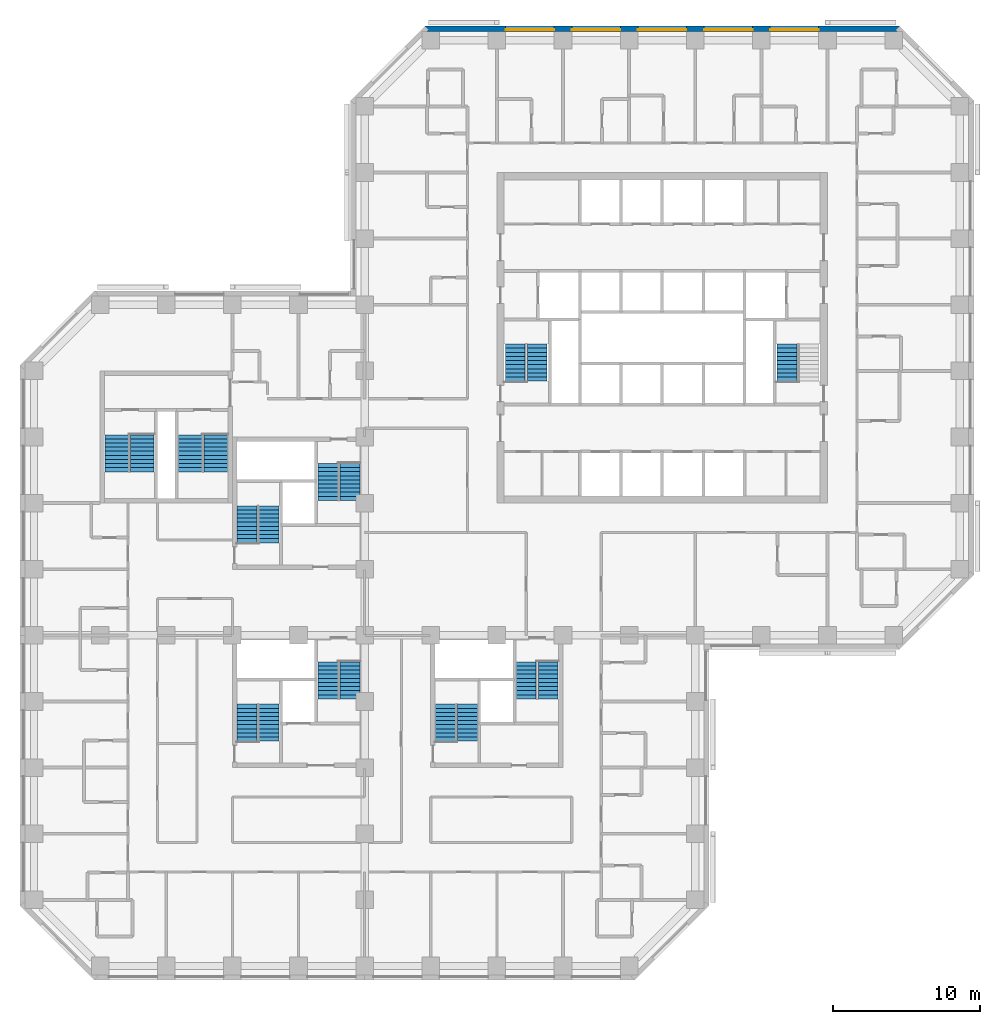
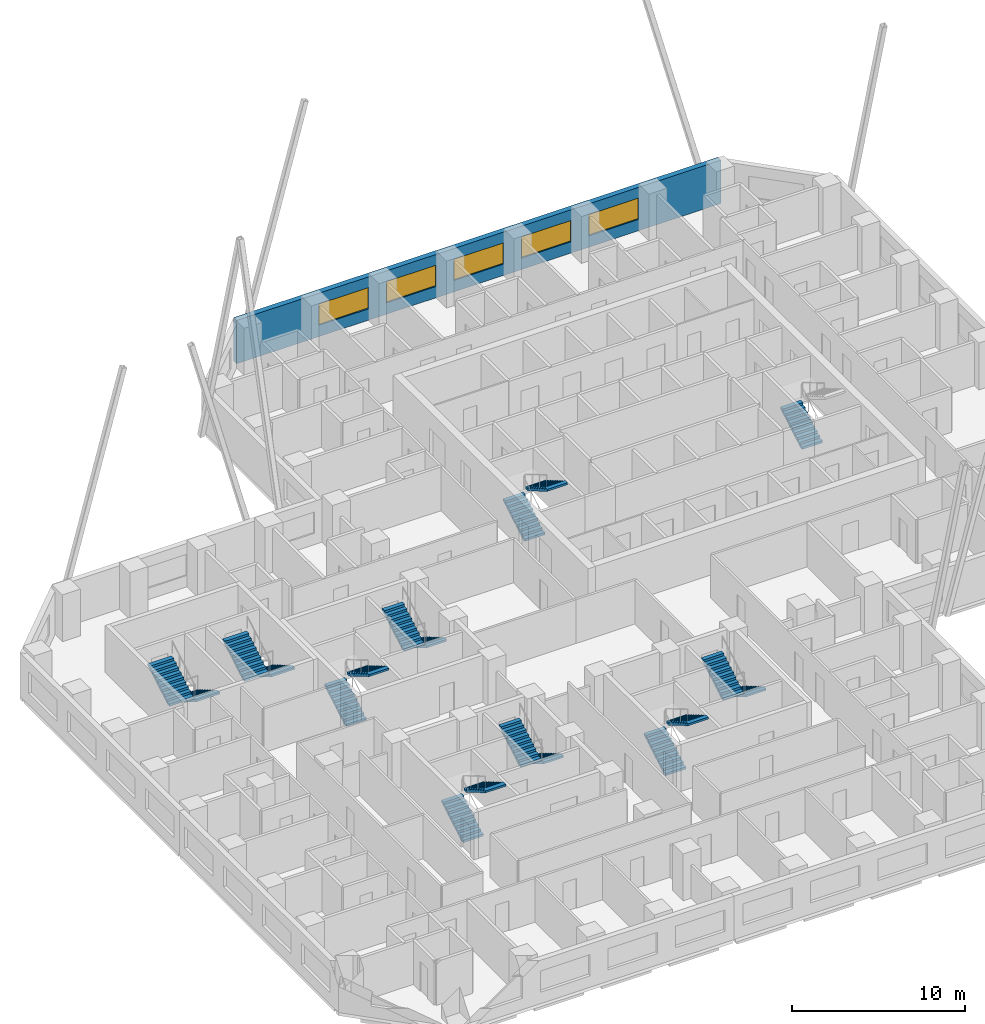
# One storey, part 12 of 14: 19 stair flights, 5 windows, 1 wall, 5 openings, 10 elements without a shape of their own.
"""IFC4 building model written with IfcOpenShell, lengths in metres."""

from ifc_helpers import new_model, si_unit, direction, frame, frame_2d, origin, place, context, subcontext, project, spatial, polyline, rectangle, outline, extrude, material, layer, layer_set, constituent, constituent_set, type_object, element, fill, aggregate, save


model = new_model("IFC4")

# Units and contexts
model_context = context("Model", 3, precision=1e-05, world=origin(), true_north=direction((0.0, 1.0)))
body_context = subcontext(model_context, "Body", "Model", "MODEL_VIEW")
ifc_project = project(units=[si_unit("LENGTHUNIT", "METRE"), si_unit("AREAUNIT", "SQUARE_METRE"), si_unit("VOLUMEUNIT", "CUBIC_METRE"), si_unit("PLANEANGLEUNIT", "RADIAN"), si_unit("MASSUNIT", "GRAM", prefix="KILO")], contexts=[model_context])

# Site, building, storey
site_placement = place(None, origin())
site = spatial("IfcSite", under=ifc_project, at=site_placement, CompositionType="ELEMENT")
building_placement = place(site_placement, origin())
building = spatial("IfcBuilding", under=site, at=building_placement, Name="Quoin Convention Tower", CompositionType="ELEMENT")
storey_placement = place(building_placement, frame((0.0, 0.0, 66.0)))
storey = spatial("IfcBuildingStorey", under=building, at=storey_placement, Name="L17", CompositionType="ELEMENT", Elevation=66.0)

# Wall, openings, windows
ifc_material_1 = material(Name="Brick masonry", Category="masonry")
ifc_layer = layer(ifc_material_1, 0.35009765625)
ifc_layer_set = layer_set([ifc_layer], Name="Brick masonry")
wall_type = type_object("IfcWallType", Name="Brick facade wall", PredefinedType="STANDARD", material=ifc_layer_set)
wall_placement = place(storey_placement, frame((72.3935546875, 81.77490234375, 0.0), z_axis=(0.0, 0.0, 1.0), x_axis=(-1.0, 0.0, 0.0)))
wall = element("IfcWall", 1, at=wall_placement, inside=storey, type_object=wall_type, Name="fw-L17-72000_81000", PredefinedType="STANDARD", context=body_context, shape_type="SweptSolid", body=[
    extrude(rectangle(XDim=32.287109375, YDim=0.35009765625, at=frame_2d((16.1435546875, 0.0))), origin(), (0.0, 0.0, 1.0), 3.054931640625),
])
opening_1_placement = place(wall_placement, frame((5.493408203125, 0.0, 0.800048828125)))
opening_1 = element("IfcOpeningElement", 2, at=opening_1_placement, cuts=wall, Name="Opening W-01", PredefinedType="OPENING", context=body_context, shape_type="SweptSolid", body=[
    extrude(rectangle(XDim=3.300048828125, YDim=1.5, at=frame_2d((1.64990234375, 0.75))), frame((0.0, 0.18505859375, 0.0), z_axis=(0.0, -1.0, 0.0), x_axis=(1.0, 0.0, 0.0)), (0.0, 0.0, 1.0), 0.3701171875),
])
opening_2_placement = place(wall_placement, frame((9.993408203125, 0.0, 0.800048828125)))
opening_2 = element("IfcOpeningElement", 3, at=opening_2_placement, cuts=wall, Name="Opening W-01", PredefinedType="OPENING", context=body_context, shape_type="SweptSolid", body=[
    extrude(rectangle(XDim=3.300048828125, YDim=1.5, at=frame_2d((1.64990234375, 0.75))), frame((0.0, 0.18505859375, 0.0), z_axis=(0.0, -1.0, 0.0), x_axis=(1.0, 0.0, 0.0)), (0.0, 0.0, 1.0), 0.3701171875),
])
opening_3_placement = place(wall_placement, frame((14.493408203125, 0.0, 0.800048828125)))
opening_3 = element("IfcOpeningElement", 4, at=opening_3_placement, cuts=wall, Name="Opening W-01", PredefinedType="OPENING", context=body_context, shape_type="SweptSolid", body=[
    extrude(rectangle(XDim=3.300048828125, YDim=1.5, at=frame_2d((1.64990234375, 0.75))), frame((0.0, 0.18505859375, 0.0), z_axis=(0.0, -1.0, 0.0), x_axis=(1.0, 0.0, 0.0)), (0.0, 0.0, 1.0), 0.3701171875),
])
opening_4_placement = place(wall_placement, frame((18.993408203125, 0.0, 0.800048828125)))
opening_4 = element("IfcOpeningElement", 5, at=opening_4_placement, cuts=wall, Name="Opening W-01", PredefinedType="OPENING", context=body_context, shape_type="SweptSolid", body=[
    extrude(rectangle(XDim=3.300048828125, YDim=1.5, at=frame_2d((1.64990234375, 0.75))), frame((0.0, 0.18505859375, 0.0), z_axis=(0.0, -1.0, 0.0), x_axis=(1.0, 0.0, 0.0)), (0.0, 0.0, 1.0), 0.3701171875),
])
opening_5_placement = place(wall_placement, frame((23.493408203125, 0.0, 0.800048828125)))
opening_5 = element("IfcOpeningElement", 6, at=opening_5_placement, cuts=wall, Name="Opening W-01", PredefinedType="OPENING", context=body_context, shape_type="SweptSolid", body=[
    extrude(rectangle(XDim=3.300048828125, YDim=1.5, at=frame_2d((1.64990234375, 0.75))), frame((0.0, 0.18505859375, 0.0), z_axis=(0.0, -1.0, 0.0), x_axis=(1.0, 0.0, 0.0)), (0.0, 0.0, 1.0), 0.3701171875),
])
ifc_material_2 = material(Name="Aluminium", Category="aluminium")
ifc_constituent_1 = constituent(ifc_material_2, Name="Frame")
ifc_material_3 = material(Name="Insulated glass", Category="glass")
ifc_constituent_2 = constituent(ifc_material_3, Name="Glazing")
ifc_constituent_set = constituent_set(constituents=[ifc_constituent_1, ifc_constituent_2], Name="Aluminium")
window_type = type_object("IfcWindowType", Name="Hotel strip window", PartitioningType="DOUBLE_PANEL_VERTICAL", PredefinedType="WINDOW", material=ifc_constituent_set)
window_1_placement = place(opening_1_placement, origin())
window_1 = element("IfcWindow", 7, at=window_1_placement, inside=storey, type_object=window_type, Name="win-L17-65250_81775", OverallHeight=1.5, OverallWidth=3.300048828125, PartitioningType="SINGLE_PANEL", PredefinedType="WINDOW", context=body_context, shape_type="SweptSolid", body=[
    extrude(rectangle(XDim=3.300048828125, YDim=1.5, at=frame_2d((1.64990234375, 0.75))), frame((0.0, 0.0849609375, 0.0), z_axis=(0.0, -1.0, 0.0), x_axis=(1.0, 0.0, 0.0)), (0.0, 0.0, 1.0), 0.06005859375),
])
fill(opening_1, window_1)
window_2_placement = place(opening_2_placement, origin())
window_2 = element("IfcWindow", 8, at=window_2_placement, inside=storey, type_object=window_type, Name="win-L17-60750_81775", OverallHeight=1.5, OverallWidth=3.300048828125, PartitioningType="SINGLE_PANEL", PredefinedType="WINDOW", context=body_context, shape_type="SweptSolid", body=[
    extrude(rectangle(XDim=3.300048828125, YDim=1.5, at=frame_2d((1.64990234375, 0.75))), frame((0.0, 0.0849609375, 0.0), z_axis=(0.0, -1.0, 0.0), x_axis=(1.0, 0.0, 0.0)), (0.0, 0.0, 1.0), 0.06005859375),
])
fill(opening_2, window_2)
window_3_placement = place(opening_3_placement, origin())
window_3 = element("IfcWindow", 9, at=window_3_placement, inside=storey, type_object=window_type, Name="win-L17-56250_81775", OverallHeight=1.5, OverallWidth=3.300048828125, PartitioningType="SINGLE_PANEL", PredefinedType="WINDOW", context=body_context, shape_type="SweptSolid", body=[
    extrude(rectangle(XDim=3.300048828125, YDim=1.5, at=frame_2d((1.64990234375, 0.75))), frame((0.0, 0.0849609375, 0.0), z_axis=(0.0, -1.0, 0.0), x_axis=(1.0, 0.0, 0.0)), (0.0, 0.0, 1.0), 0.06005859375),
])
fill(opening_3, window_3)
window_4_placement = place(opening_4_placement, origin())
window_4 = element("IfcWindow", 10, at=window_4_placement, inside=storey, type_object=window_type, Name="win-L17-51750_81775", OverallHeight=1.5, OverallWidth=3.300048828125, PartitioningType="SINGLE_PANEL", PredefinedType="WINDOW", context=body_context, shape_type="SweptSolid", body=[
    extrude(rectangle(XDim=3.300048828125, YDim=1.5, at=frame_2d((1.64990234375, 0.75))), frame((0.0, 0.0849609375, 0.0), z_axis=(0.0, -1.0, 0.0), x_axis=(1.0, 0.0, 0.0)), (0.0, 0.0, 1.0), 0.06005859375),
])
fill(opening_4, window_4)
window_5_placement = place(opening_5_placement, origin())
window_5 = element("IfcWindow", 11, at=window_5_placement, inside=storey, type_object=window_type, Name="win-L17-47250_81775", OverallHeight=1.5, OverallWidth=3.300048828125, PartitioningType="SINGLE_PANEL", PredefinedType="WINDOW", context=body_context, shape_type="SweptSolid", body=[
    extrude(rectangle(XDim=3.300048828125, YDim=1.5, at=frame_2d((1.64990234375, 0.75))), frame((0.0, 0.0849609375, 0.0), z_axis=(0.0, -1.0, 0.0), x_axis=(1.0, 0.0, 0.0)), (0.0, 0.0, 1.0), 0.06005859375),
])
fill(opening_5, window_5)

# Stair, stair flights
ifc_material_4 = material(Name="Concrete C40", Category="concrete")
stair_type_1 = type_object("IfcStairType", Name="Exit stair two-flight 1350", PredefinedType="HALF_TURN_STAIR", material=ifc_material_4)
stair_1_placement = place(storey_placement, origin())
stair_1 = element("IfcStair", 12, at=stair_1_placement, inside=storey, type_object=stair_type_1, Name="SD1 L17", PredefinedType="HALF_TURN_STAIR")
stair_flight_type_1 = type_object("IfcStairFlightType", Name="Stair flight 1350", PredefinedType="STRAIGHT", material=ifc_material_4)
stair_flight_1_placement = place(storey_placement, frame((46.25, 57.800048828125, 0.0), z_axis=(0.0, 0.0, 1.0), x_axis=(0.0, 1.0, 0.0)))
stair_flight_1 = element("IfcStairFlight", 13, at=stair_flight_1_placement, type_object=stair_flight_type_1, Name="ST1 flight 1", NumberOfRisers=10, NumberOfTreads=9, PredefinedType="STRAIGHT", RiserHeight=0.165, TreadLength=0.28, context=body_context, shape_type="SweptSolid", body=[
    extrude(outline(polyline([(0.0, 0.0), (0.0, 0.1650390625), (0.280029296875, 0.1650390625), (0.280029296875, 0.330078125), (0.56005859375, 0.330078125), (0.56005859375, 0.4951171875), (0.840087890625, 0.4951171875), (0.840087890625, 0.659912109375), (1.1201171875, 0.659912109375), (1.1201171875, 0.824951171875), (1.39990234375, 0.824951171875), (1.39990234375, 0.989990234375), (1.679931640625, 0.989990234375), (1.679931640625, 1.155029296875), (1.9599609375, 1.155029296875), (1.9599609375, 1.320068359375), (2.239990234375, 1.320068359375), (2.239990234375, 1.485107421875), (2.52001953125, 1.485107421875), (2.52001953125, 1.64990234375), (2.52001953125, 1.345458984375), (0.236572265625, 0.0), (0.0, 0.0)])), frame((0.0, 0.675048828125, 0.0), z_axis=(0.0, -1.0, 0.0), x_axis=(1.0, 0.0, 0.0)), (0.0, 0.0, 1.0), 1.35009765625),
])
stair_flight_2_placement = place(storey_placement, frame((47.75, 60.320068359375, 1.64990234375), z_axis=(0.0, 0.0, 1.0), x_axis=(0.0, -1.0, 0.0)))
stair_flight_2 = element("IfcStairFlight", 14, at=stair_flight_2_placement, type_object=stair_flight_type_1, Name="ST1 flight 2", NumberOfRisers=10, NumberOfTreads=9, PredefinedType="STRAIGHT", RiserHeight=0.165, TreadLength=0.28, context=body_context, shape_type="SweptSolid", body=[
    extrude(outline(polyline([(0.0, 0.0), (0.0, 0.1650390625), (0.280029296875, 0.1650390625), (0.280029296875, 0.330078125), (0.56005859375, 0.330078125), (0.56005859375, 0.4951171875), (0.840087890625, 0.4951171875), (0.840087890625, 0.659912109375), (1.1201171875, 0.659912109375), (1.1201171875, 0.824951171875), (1.39990234375, 0.824951171875), (1.39990234375, 0.989990234375), (1.679931640625, 0.989990234375), (1.679931640625, 1.155029296875), (1.9599609375, 1.155029296875), (1.9599609375, 1.320068359375), (2.239990234375, 1.320068359375), (2.239990234375, 1.485107421875), (2.52001953125, 1.485107421875), (2.52001953125, 1.64990234375), (2.52001953125, 1.345458984375), (0.236572265625, 0.0), (0.0, 0.0)])), frame((0.0, 0.675048828125, 0.0), z_axis=(0.0, -1.0, 0.0), x_axis=(1.0, 0.0, 0.0)), (0.0, 0.0, 1.0), 1.35009765625),
])
aggregate(stair_1, [stair_flight_1, stair_flight_2])

# Stair, stair flight
stair_2_placement = place(storey_placement, origin())
stair_2 = element("IfcStair", 15, at=stair_2_placement, inside=storey, type_object=stair_type_1, Name="SD2 L17", PredefinedType="HALF_TURN_STAIR")
stair_flight_3_placement = place(storey_placement, frame((64.75, 57.800048828125, 0.0), z_axis=(0.0, 0.0, 1.0), x_axis=(0.0, 1.0, 0.0)))
stair_flight_3 = element("IfcStairFlight", 16, at=stair_flight_3_placement, type_object=stair_flight_type_1, Name="ST2 flight 1", NumberOfRisers=10, NumberOfTreads=9, PredefinedType="STRAIGHT", RiserHeight=0.165, TreadLength=0.28, context=body_context, shape_type="SweptSolid", body=[
    extrude(outline(polyline([(0.0, 0.0), (0.0, 0.1650390625), (0.280029296875, 0.1650390625), (0.280029296875, 0.330078125), (0.56005859375, 0.330078125), (0.56005859375, 0.4951171875), (0.840087890625, 0.4951171875), (0.840087890625, 0.659912109375), (1.1201171875, 0.659912109375), (1.1201171875, 0.824951171875), (1.39990234375, 0.824951171875), (1.39990234375, 0.989990234375), (1.679931640625, 0.989990234375), (1.679931640625, 1.155029296875), (1.9599609375, 1.155029296875), (1.9599609375, 1.320068359375), (2.239990234375, 1.320068359375), (2.239990234375, 1.485107421875), (2.52001953125, 1.485107421875), (2.52001953125, 1.64990234375), (2.52001953125, 1.345458984375), (0.236572265625, 0.0), (0.0, 0.0)])), frame((0.0, 0.675048828125, 0.0), z_axis=(0.0, -1.0, 0.0), x_axis=(1.0, 0.0, 0.0)), (0.0, 0.0, 1.0), 1.35009765625),
])
aggregate(stair_2, [stair_flight_3])

# Stair, stair flights
stair_3_placement = place(storey_placement, origin())
stair_3 = element("IfcStair", 17, at=stair_3_placement, inside=storey, type_object=stair_type_1, Name="SD3 L17", PredefinedType="HALF_TURN_STAIR")
stair_flight_4_placement = place(storey_placement, frame((28.0, 46.800048828125, 0.0), z_axis=(0.0, 0.0, 1.0), x_axis=(0.0, 1.0, 0.0)))
stair_flight_4 = element("IfcStairFlight", 18, at=stair_flight_4_placement, type_object=stair_flight_type_1, Name="ST3 flight 1", NumberOfRisers=10, NumberOfTreads=9, PredefinedType="STRAIGHT", RiserHeight=0.165, TreadLength=0.28, context=body_context, shape_type="SweptSolid", body=[
    extrude(outline(polyline([(0.0, 0.0), (0.0, 0.1650390625), (0.280029296875, 0.1650390625), (0.280029296875, 0.330078125), (0.56005859375, 0.330078125), (0.56005859375, 0.4951171875), (0.840087890625, 0.4951171875), (0.840087890625, 0.659912109375), (1.1201171875, 0.659912109375), (1.1201171875, 0.824951171875), (1.39990234375, 0.824951171875), (1.39990234375, 0.989990234375), (1.679931640625, 0.989990234375), (1.679931640625, 1.155029296875), (1.9599609375, 1.155029296875), (1.9599609375, 1.320068359375), (2.239990234375, 1.320068359375), (2.239990234375, 1.485107421875), (2.52001953125, 1.485107421875), (2.52001953125, 1.64990234375), (2.52001953125, 1.345458984375), (0.236572265625, 0.0), (0.0, 0.0)])), frame((0.0, 0.675048828125, 0.0), z_axis=(0.0, -1.0, 0.0), x_axis=(1.0, 0.0, 0.0)), (0.0, 0.0, 1.0), 1.35009765625),
])
stair_flight_5_placement = place(storey_placement, frame((29.5, 49.320068359375, 1.64990234375), z_axis=(0.0, 0.0, 1.0), x_axis=(0.0, -1.0, 0.0)))
stair_flight_5 = element("IfcStairFlight", 19, at=stair_flight_5_placement, type_object=stair_flight_type_1, Name="ST3 flight 2", NumberOfRisers=10, NumberOfTreads=9, PredefinedType="STRAIGHT", RiserHeight=0.165, TreadLength=0.28, context=body_context, shape_type="SweptSolid", body=[
    extrude(outline(polyline([(0.0, 0.0), (0.0, 0.1650390625), (0.280029296875, 0.1650390625), (0.280029296875, 0.330078125), (0.56005859375, 0.330078125), (0.56005859375, 0.4951171875), (0.840087890625, 0.4951171875), (0.840087890625, 0.659912109375), (1.1201171875, 0.659912109375), (1.1201171875, 0.824951171875), (1.39990234375, 0.824951171875), (1.39990234375, 0.989990234375), (1.679931640625, 0.989990234375), (1.679931640625, 1.155029296875), (1.9599609375, 1.155029296875), (1.9599609375, 1.320068359375), (2.239990234375, 1.320068359375), (2.239990234375, 1.485107421875), (2.52001953125, 1.485107421875), (2.52001953125, 1.64990234375), (2.52001953125, 1.345458984375), (0.236572265625, 0.0), (0.0, 0.0)])), frame((0.0, 0.675048828125, 0.0), z_axis=(0.0, -1.0, 0.0), x_axis=(1.0, 0.0, 0.0)), (0.0, 0.0, 1.0), 1.35009765625),
])
aggregate(stair_3, [stair_flight_4, stair_flight_5])

stair_4_placement = place(storey_placement, origin())
stair_4 = element("IfcStair", 20, at=stair_4_placement, inside=storey, type_object=stair_type_1, Name="SD4 L17", PredefinedType="HALF_TURN_STAIR")
stair_flight_6_placement = place(storey_placement, frame((35.0, 52.199951171875, 0.0), z_axis=(0.0, 0.0, 1.0), x_axis=(0.0, -1.0, 0.0)))
stair_flight_6 = element("IfcStairFlight", 21, at=stair_flight_6_placement, type_object=stair_flight_type_1, Name="ST4 flight 1", NumberOfRisers=10, NumberOfTreads=9, PredefinedType="STRAIGHT", RiserHeight=0.165, TreadLength=0.28, context=body_context, shape_type="SweptSolid", body=[
    extrude(outline(polyline([(0.0, 0.0), (0.0, 0.1650390625), (0.280029296875, 0.1650390625), (0.280029296875, 0.330078125), (0.56005859375, 0.330078125), (0.56005859375, 0.4951171875), (0.840087890625, 0.4951171875), (0.840087890625, 0.659912109375), (1.1201171875, 0.659912109375), (1.1201171875, 0.824951171875), (1.39990234375, 0.824951171875), (1.39990234375, 0.989990234375), (1.679931640625, 0.989990234375), (1.679931640625, 1.155029296875), (1.9599609375, 1.155029296875), (1.9599609375, 1.320068359375), (2.239990234375, 1.320068359375), (2.239990234375, 1.485107421875), (2.52001953125, 1.485107421875), (2.52001953125, 1.64990234375), (2.52001953125, 1.345458984375), (0.236572265625, 0.0), (0.0, 0.0)])), frame((0.0, 0.675048828125, 0.0), z_axis=(0.0, -1.0, 0.0), x_axis=(1.0, 0.0, 0.0)), (0.0, 0.0, 1.0), 1.35009765625),
])
stair_flight_7_placement = place(storey_placement, frame((33.5, 49.679931640625, 1.64990234375), z_axis=(0.0, 0.0, 1.0), x_axis=(0.0, 1.0, 0.0)))
stair_flight_7 = element("IfcStairFlight", 22, at=stair_flight_7_placement, type_object=stair_flight_type_1, Name="ST4 flight 2", NumberOfRisers=10, NumberOfTreads=9, PredefinedType="STRAIGHT", RiserHeight=0.165, TreadLength=0.28, context=body_context, shape_type="SweptSolid", body=[
    extrude(outline(polyline([(0.0, 0.0), (0.0, 0.1650390625), (0.280029296875, 0.1650390625), (0.280029296875, 0.330078125), (0.56005859375, 0.330078125), (0.56005859375, 0.4951171875), (0.840087890625, 0.4951171875), (0.840087890625, 0.659912109375), (1.1201171875, 0.659912109375), (1.1201171875, 0.824951171875), (1.39990234375, 0.824951171875), (1.39990234375, 0.989990234375), (1.679931640625, 0.989990234375), (1.679931640625, 1.155029296875), (1.9599609375, 1.155029296875), (1.9599609375, 1.320068359375), (2.239990234375, 1.320068359375), (2.239990234375, 1.485107421875), (2.52001953125, 1.485107421875), (2.52001953125, 1.64990234375), (2.52001953125, 1.345458984375), (0.236572265625, 0.0), (0.0, 0.0)])), frame((0.0, 0.675048828125, 0.0), z_axis=(0.0, -1.0, 0.0), x_axis=(1.0, 0.0, 0.0)), (0.0, 0.0, 1.0), 1.35009765625),
])
aggregate(stair_4, [stair_flight_6, stair_flight_7])

stair_5_placement = place(storey_placement, origin())
stair_5 = element("IfcStair", 23, at=stair_5_placement, inside=storey, type_object=stair_type_1, Name="SD5 L17", PredefinedType="HALF_TURN_STAIR")
stair_flight_8_placement = place(storey_placement, frame((41.5, 33.300048828125, 0.0), z_axis=(0.0, 0.0, 1.0), x_axis=(0.0, 1.0, 0.0)))
stair_flight_8 = element("IfcStairFlight", 24, at=stair_flight_8_placement, type_object=stair_flight_type_1, Name="ST5 flight 1", NumberOfRisers=10, NumberOfTreads=9, PredefinedType="STRAIGHT", RiserHeight=0.165, TreadLength=0.28, context=body_context, shape_type="SweptSolid", body=[
    extrude(outline(polyline([(0.0, 0.0), (0.0, 0.1650390625), (0.280029296875, 0.1650390625), (0.280029296875, 0.330078125), (0.56005859375, 0.330078125), (0.56005859375, 0.4951171875), (0.840087890625, 0.4951171875), (0.840087890625, 0.659912109375), (1.1201171875, 0.659912109375), (1.1201171875, 0.824951171875), (1.39990234375, 0.824951171875), (1.39990234375, 0.989990234375), (1.679931640625, 0.989990234375), (1.679931640625, 1.155029296875), (1.9599609375, 1.155029296875), (1.9599609375, 1.320068359375), (2.239990234375, 1.320068359375), (2.239990234375, 1.485107421875), (2.52001953125, 1.485107421875), (2.52001953125, 1.64990234375), (2.52001953125, 1.345458984375), (0.236572265625, 0.0), (0.0, 0.0)])), frame((0.0, 0.675048828125, 0.0), z_axis=(0.0, -1.0, 0.0), x_axis=(1.0, 0.0, 0.0)), (0.0, 0.0, 1.0), 1.35009765625),
])
stair_flight_9_placement = place(storey_placement, frame((43.0, 35.820068359375, 1.64990234375), z_axis=(0.0, 0.0, 1.0), x_axis=(0.0, -1.0, 0.0)))
stair_flight_9 = element("IfcStairFlight", 25, at=stair_flight_9_placement, type_object=stair_flight_type_1, Name="ST5 flight 2", NumberOfRisers=10, NumberOfTreads=9, PredefinedType="STRAIGHT", RiserHeight=0.165, TreadLength=0.28, context=body_context, shape_type="SweptSolid", body=[
    extrude(outline(polyline([(0.0, 0.0), (0.0, 0.1650390625), (0.280029296875, 0.1650390625), (0.280029296875, 0.330078125), (0.56005859375, 0.330078125), (0.56005859375, 0.4951171875), (0.840087890625, 0.4951171875), (0.840087890625, 0.659912109375), (1.1201171875, 0.659912109375), (1.1201171875, 0.824951171875), (1.39990234375, 0.824951171875), (1.39990234375, 0.989990234375), (1.679931640625, 0.989990234375), (1.679931640625, 1.155029296875), (1.9599609375, 1.155029296875), (1.9599609375, 1.320068359375), (2.239990234375, 1.320068359375), (2.239990234375, 1.485107421875), (2.52001953125, 1.485107421875), (2.52001953125, 1.64990234375), (2.52001953125, 1.345458984375), (0.236572265625, 0.0), (0.0, 0.0)])), frame((0.0, 0.675048828125, 0.0), z_axis=(0.0, -1.0, 0.0), x_axis=(1.0, 0.0, 0.0)), (0.0, 0.0, 1.0), 1.35009765625),
])
aggregate(stair_5, [stair_flight_8, stair_flight_9])

stair_6_placement = place(storey_placement, origin())
stair_6 = element("IfcStair", 26, at=stair_6_placement, inside=storey, type_object=stair_type_1, Name="SD6 L17", PredefinedType="HALF_TURN_STAIR")
stair_flight_10_placement = place(storey_placement, frame((48.5, 38.699951171875, 0.0), z_axis=(0.0, 0.0, 1.0), x_axis=(0.0, -1.0, 0.0)))
stair_flight_10 = element("IfcStairFlight", 27, at=stair_flight_10_placement, type_object=stair_flight_type_1, Name="ST6 flight 1", NumberOfRisers=10, NumberOfTreads=9, PredefinedType="STRAIGHT", RiserHeight=0.165, TreadLength=0.28, context=body_context, shape_type="SweptSolid", body=[
    extrude(outline(polyline([(0.0, 0.0), (0.0, 0.1650390625), (0.280029296875, 0.1650390625), (0.280029296875, 0.330078125), (0.56005859375, 0.330078125), (0.56005859375, 0.4951171875), (0.840087890625, 0.4951171875), (0.840087890625, 0.659912109375), (1.1201171875, 0.659912109375), (1.1201171875, 0.824951171875), (1.39990234375, 0.824951171875), (1.39990234375, 0.989990234375), (1.679931640625, 0.989990234375), (1.679931640625, 1.155029296875), (1.9599609375, 1.155029296875), (1.9599609375, 1.320068359375), (2.239990234375, 1.320068359375), (2.239990234375, 1.485107421875), (2.52001953125, 1.485107421875), (2.52001953125, 1.64990234375), (2.52001953125, 1.345458984375), (0.236572265625, 0.0), (0.0, 0.0)])), frame((0.0, 0.675048828125, 0.0), z_axis=(0.0, -1.0, 0.0), x_axis=(1.0, 0.0, 0.0)), (0.0, 0.0, 1.0), 1.35009765625),
])
stair_flight_11_placement = place(storey_placement, frame((47.0, 36.179931640625, 1.64990234375), z_axis=(0.0, 0.0, 1.0), x_axis=(0.0, 1.0, 0.0)))
stair_flight_11 = element("IfcStairFlight", 28, at=stair_flight_11_placement, type_object=stair_flight_type_1, Name="ST6 flight 2", NumberOfRisers=10, NumberOfTreads=9, PredefinedType="STRAIGHT", RiserHeight=0.165, TreadLength=0.28, context=body_context, shape_type="SweptSolid", body=[
    extrude(outline(polyline([(0.0, 0.0), (0.0, 0.1650390625), (0.280029296875, 0.1650390625), (0.280029296875, 0.330078125), (0.56005859375, 0.330078125), (0.56005859375, 0.4951171875), (0.840087890625, 0.4951171875), (0.840087890625, 0.659912109375), (1.1201171875, 0.659912109375), (1.1201171875, 0.824951171875), (1.39990234375, 0.824951171875), (1.39990234375, 0.989990234375), (1.679931640625, 0.989990234375), (1.679931640625, 1.155029296875), (1.9599609375, 1.155029296875), (1.9599609375, 1.320068359375), (2.239990234375, 1.320068359375), (2.239990234375, 1.485107421875), (2.52001953125, 1.485107421875), (2.52001953125, 1.64990234375), (2.52001953125, 1.345458984375), (0.236572265625, 0.0), (0.0, 0.0)])), frame((0.0, 0.675048828125, 0.0), z_axis=(0.0, -1.0, 0.0), x_axis=(1.0, 0.0, 0.0)), (0.0, 0.0, 1.0), 1.35009765625),
])
aggregate(stair_6, [stair_flight_10, stair_flight_11])

stair_7_placement = place(storey_placement, origin())
stair_7 = element("IfcStair", 29, at=stair_7_placement, inside=storey, type_object=stair_type_1, Name="SD7 L17", PredefinedType="HALF_TURN_STAIR")
stair_flight_12_placement = place(storey_placement, frame((28.0, 33.300048828125, 0.0), z_axis=(0.0, 0.0, 1.0), x_axis=(0.0, 1.0, 0.0)))
stair_flight_12 = element("IfcStairFlight", 30, at=stair_flight_12_placement, type_object=stair_flight_type_1, Name="ST7 flight 1", NumberOfRisers=10, NumberOfTreads=9, PredefinedType="STRAIGHT", RiserHeight=0.165, TreadLength=0.28, context=body_context, shape_type="SweptSolid", body=[
    extrude(outline(polyline([(0.0, 0.0), (0.0, 0.1650390625), (0.280029296875, 0.1650390625), (0.280029296875, 0.330078125), (0.56005859375, 0.330078125), (0.56005859375, 0.4951171875), (0.840087890625, 0.4951171875), (0.840087890625, 0.659912109375), (1.1201171875, 0.659912109375), (1.1201171875, 0.824951171875), (1.39990234375, 0.824951171875), (1.39990234375, 0.989990234375), (1.679931640625, 0.989990234375), (1.679931640625, 1.155029296875), (1.9599609375, 1.155029296875), (1.9599609375, 1.320068359375), (2.239990234375, 1.320068359375), (2.239990234375, 1.485107421875), (2.52001953125, 1.485107421875), (2.52001953125, 1.64990234375), (2.52001953125, 1.345458984375), (0.236572265625, 0.0), (0.0, 0.0)])), frame((0.0, 0.675048828125, 0.0), z_axis=(0.0, -1.0, 0.0), x_axis=(1.0, 0.0, 0.0)), (0.0, 0.0, 1.0), 1.35009765625),
])
stair_flight_13_placement = place(storey_placement, frame((29.5, 35.820068359375, 1.64990234375), z_axis=(0.0, 0.0, 1.0), x_axis=(0.0, -1.0, 0.0)))
stair_flight_13 = element("IfcStairFlight", 31, at=stair_flight_13_placement, type_object=stair_flight_type_1, Name="ST7 flight 2", NumberOfRisers=10, NumberOfTreads=9, PredefinedType="STRAIGHT", RiserHeight=0.165, TreadLength=0.28, context=body_context, shape_type="SweptSolid", body=[
    extrude(outline(polyline([(0.0, 0.0), (0.0, 0.1650390625), (0.280029296875, 0.1650390625), (0.280029296875, 0.330078125), (0.56005859375, 0.330078125), (0.56005859375, 0.4951171875), (0.840087890625, 0.4951171875), (0.840087890625, 0.659912109375), (1.1201171875, 0.659912109375), (1.1201171875, 0.824951171875), (1.39990234375, 0.824951171875), (1.39990234375, 0.989990234375), (1.679931640625, 0.989990234375), (1.679931640625, 1.155029296875), (1.9599609375, 1.155029296875), (1.9599609375, 1.320068359375), (2.239990234375, 1.320068359375), (2.239990234375, 1.485107421875), (2.52001953125, 1.485107421875), (2.52001953125, 1.64990234375), (2.52001953125, 1.345458984375), (0.236572265625, 0.0), (0.0, 0.0)])), frame((0.0, 0.675048828125, 0.0), z_axis=(0.0, -1.0, 0.0), x_axis=(1.0, 0.0, 0.0)), (0.0, 0.0, 1.0), 1.35009765625),
])
aggregate(stair_7, [stair_flight_12, stair_flight_13])

stair_8_placement = place(storey_placement, origin())
stair_8 = element("IfcStair", 32, at=stair_8_placement, inside=storey, type_object=stair_type_1, Name="SD8 L17", PredefinedType="HALF_TURN_STAIR")
stair_flight_14_placement = place(storey_placement, frame((35.0, 38.699951171875, 0.0), z_axis=(0.0, 0.0, 1.0), x_axis=(0.0, -1.0, 0.0)))
stair_flight_14 = element("IfcStairFlight", 33, at=stair_flight_14_placement, type_object=stair_flight_type_1, Name="ST8 flight 1", NumberOfRisers=10, NumberOfTreads=9, PredefinedType="STRAIGHT", RiserHeight=0.165, TreadLength=0.28, context=body_context, shape_type="SweptSolid", body=[
    extrude(outline(polyline([(0.0, 0.0), (0.0, 0.1650390625), (0.280029296875, 0.1650390625), (0.280029296875, 0.330078125), (0.56005859375, 0.330078125), (0.56005859375, 0.4951171875), (0.840087890625, 0.4951171875), (0.840087890625, 0.659912109375), (1.1201171875, 0.659912109375), (1.1201171875, 0.824951171875), (1.39990234375, 0.824951171875), (1.39990234375, 0.989990234375), (1.679931640625, 0.989990234375), (1.679931640625, 1.155029296875), (1.9599609375, 1.155029296875), (1.9599609375, 1.320068359375), (2.239990234375, 1.320068359375), (2.239990234375, 1.485107421875), (2.52001953125, 1.485107421875), (2.52001953125, 1.64990234375), (2.52001953125, 1.345458984375), (0.236572265625, 0.0), (0.0, 0.0)])), frame((0.0, 0.675048828125, 0.0), z_axis=(0.0, -1.0, 0.0), x_axis=(1.0, 0.0, 0.0)), (0.0, 0.0, 1.0), 1.35009765625),
])
stair_flight_15_placement = place(storey_placement, frame((33.5, 36.179931640625, 1.64990234375), z_axis=(0.0, 0.0, 1.0), x_axis=(0.0, 1.0, 0.0)))
stair_flight_15 = element("IfcStairFlight", 34, at=stair_flight_15_placement, type_object=stair_flight_type_1, Name="ST8 flight 2", NumberOfRisers=10, NumberOfTreads=9, PredefinedType="STRAIGHT", RiserHeight=0.165, TreadLength=0.28, context=body_context, shape_type="SweptSolid", body=[
    extrude(outline(polyline([(0.0, 0.0), (0.0, 0.1650390625), (0.280029296875, 0.1650390625), (0.280029296875, 0.330078125), (0.56005859375, 0.330078125), (0.56005859375, 0.4951171875), (0.840087890625, 0.4951171875), (0.840087890625, 0.659912109375), (1.1201171875, 0.659912109375), (1.1201171875, 0.824951171875), (1.39990234375, 0.824951171875), (1.39990234375, 0.989990234375), (1.679931640625, 0.989990234375), (1.679931640625, 1.155029296875), (1.9599609375, 1.155029296875), (1.9599609375, 1.320068359375), (2.239990234375, 1.320068359375), (2.239990234375, 1.485107421875), (2.52001953125, 1.485107421875), (2.52001953125, 1.64990234375), (2.52001953125, 1.345458984375), (0.236572265625, 0.0), (0.0, 0.0)])), frame((0.0, 0.675048828125, 0.0), z_axis=(0.0, -1.0, 0.0), x_axis=(1.0, 0.0, 0.0)), (0.0, 0.0, 1.0), 1.35009765625),
])
aggregate(stair_8, [stair_flight_14, stair_flight_15])

stair_type_2 = type_object("IfcStairType", Name="Exit stair two-flight 1600", PredefinedType="HALF_TURN_STAIR", material=ifc_material_4)
stair_9_placement = place(storey_placement, origin())
stair_9 = element("IfcStair", 35, at=stair_9_placement, inside=storey, type_object=stair_type_2, Name="SD11 L17", PredefinedType="HALF_TURN_STAIR")
stair_flight_type_2 = type_object("IfcStairFlightType", Name="Stair flight 1600", PredefinedType="STRAIGHT", material=ifc_material_4)
stair_flight_16_placement = place(storey_placement, frame((20.875, 54.14990234375, 0.0), z_axis=(0.0, 0.0, 1.0), x_axis=(0.0, -1.0, 0.0)))
stair_flight_16 = element("IfcStairFlight", 36, at=stair_flight_16_placement, type_object=stair_flight_type_2, Name="ST11 flight 1", NumberOfRisers=10, NumberOfTreads=9, PredefinedType="STRAIGHT", RiserHeight=0.165, TreadLength=0.28, context=body_context, shape_type="SweptSolid", body=[
    extrude(outline(polyline([(0.0, 0.0), (0.0, 0.1650390625), (0.280029296875, 0.1650390625), (0.280029296875, 0.330078125), (0.56005859375, 0.330078125), (0.56005859375, 0.4951171875), (0.840087890625, 0.4951171875), (0.840087890625, 0.659912109375), (1.1201171875, 0.659912109375), (1.1201171875, 0.824951171875), (1.39990234375, 0.824951171875), (1.39990234375, 0.989990234375), (1.679931640625, 0.989990234375), (1.679931640625, 1.155029296875), (1.9599609375, 1.155029296875), (1.9599609375, 1.320068359375), (2.239990234375, 1.320068359375), (2.239990234375, 1.485107421875), (2.52001953125, 1.485107421875), (2.52001953125, 1.64990234375), (2.52001953125, 1.345458984375), (0.236572265625, 0.0), (0.0, 0.0)])), frame((0.0, 0.800048828125, 0.0), z_axis=(0.0, -1.0, 0.0), x_axis=(1.0, 0.0, 0.0)), (0.0, 0.0, 1.0), 1.60009765625),
])
stair_flight_17_placement = place(storey_placement, frame((19.125, 51.6298828125, 1.64990234375), z_axis=(0.0, 0.0, 1.0), x_axis=(0.0, 1.0, 0.0)))
stair_flight_17 = element("IfcStairFlight", 37, at=stair_flight_17_placement, type_object=stair_flight_type_2, Name="ST11 flight 2", NumberOfRisers=10, NumberOfTreads=9, PredefinedType="STRAIGHT", RiserHeight=0.165, TreadLength=0.28, context=body_context, shape_type="SweptSolid", body=[
    extrude(outline(polyline([(0.0, 0.0), (0.0, 0.1650390625), (0.280029296875, 0.1650390625), (0.280029296875, 0.330078125), (0.56005859375, 0.330078125), (0.56005859375, 0.4951171875), (0.840087890625, 0.4951171875), (0.840087890625, 0.659912109375), (1.1201171875, 0.659912109375), (1.1201171875, 0.824951171875), (1.39990234375, 0.824951171875), (1.39990234375, 0.989990234375), (1.679931640625, 0.989990234375), (1.679931640625, 1.155029296875), (1.9599609375, 1.155029296875), (1.9599609375, 1.320068359375), (2.239990234375, 1.320068359375), (2.239990234375, 1.485107421875), (2.52001953125, 1.485107421875), (2.52001953125, 1.64990234375), (2.52001953125, 1.345458984375), (0.236572265625, 0.0), (0.0, 0.0)])), frame((0.0, 0.800048828125, 0.0), z_axis=(0.0, -1.0, 0.0), x_axis=(1.0, 0.0, 0.0)), (0.0, 0.0, 1.0), 1.60009765625),
])
aggregate(stair_9, [stair_flight_16, stair_flight_17])

stair_10_placement = place(storey_placement, origin())
stair_10 = element("IfcStair", 38, at=stair_10_placement, inside=storey, type_object=stair_type_2, Name="SD12 L17", PredefinedType="HALF_TURN_STAIR")
stair_flight_18_placement = place(storey_placement, frame((25.875, 54.14990234375, 0.0), z_axis=(0.0, 0.0, 1.0), x_axis=(0.0, -1.0, 0.0)))
stair_flight_18 = element("IfcStairFlight", 39, at=stair_flight_18_placement, type_object=stair_flight_type_2, Name="ST12 flight 1", NumberOfRisers=10, NumberOfTreads=9, PredefinedType="STRAIGHT", RiserHeight=0.165, TreadLength=0.28, context=body_context, shape_type="SweptSolid", body=[
    extrude(outline(polyline([(0.0, 0.0), (0.0, 0.1650390625), (0.280029296875, 0.1650390625), (0.280029296875, 0.330078125), (0.56005859375, 0.330078125), (0.56005859375, 0.4951171875), (0.840087890625, 0.4951171875), (0.840087890625, 0.659912109375), (1.1201171875, 0.659912109375), (1.1201171875, 0.824951171875), (1.39990234375, 0.824951171875), (1.39990234375, 0.989990234375), (1.679931640625, 0.989990234375), (1.679931640625, 1.155029296875), (1.9599609375, 1.155029296875), (1.9599609375, 1.320068359375), (2.239990234375, 1.320068359375), (2.239990234375, 1.485107421875), (2.52001953125, 1.485107421875), (2.52001953125, 1.64990234375), (2.52001953125, 1.345458984375), (0.236572265625, 0.0), (0.0, 0.0)])), frame((0.0, 0.800048828125, 0.0), z_axis=(0.0, -1.0, 0.0), x_axis=(1.0, 0.0, 0.0)), (0.0, 0.0, 1.0), 1.60009765625),
])
stair_flight_19_placement = place(storey_placement, frame((24.125, 51.6298828125, 1.64990234375), z_axis=(0.0, 0.0, 1.0), x_axis=(0.0, 1.0, 0.0)))
stair_flight_19 = element("IfcStairFlight", 40, at=stair_flight_19_placement, type_object=stair_flight_type_2, Name="ST12 flight 2", NumberOfRisers=10, NumberOfTreads=9, PredefinedType="STRAIGHT", RiserHeight=0.165, TreadLength=0.28, context=body_context, shape_type="SweptSolid", body=[
    extrude(outline(polyline([(0.0, 0.0), (0.0, 0.1650390625), (0.280029296875, 0.1650390625), (0.280029296875, 0.330078125), (0.56005859375, 0.330078125), (0.56005859375, 0.4951171875), (0.840087890625, 0.4951171875), (0.840087890625, 0.659912109375), (1.1201171875, 0.659912109375), (1.1201171875, 0.824951171875), (1.39990234375, 0.824951171875), (1.39990234375, 0.989990234375), (1.679931640625, 0.989990234375), (1.679931640625, 1.155029296875), (1.9599609375, 1.155029296875), (1.9599609375, 1.320068359375), (2.239990234375, 1.320068359375), (2.239990234375, 1.485107421875), (2.52001953125, 1.485107421875), (2.52001953125, 1.64990234375), (2.52001953125, 1.345458984375), (0.236572265625, 0.0), (0.0, 0.0)])), frame((0.0, 0.800048828125, 0.0), z_axis=(0.0, -1.0, 0.0), x_axis=(1.0, 0.0, 0.0)), (0.0, 0.0, 1.0), 1.60009765625),
])
aggregate(stair_10, [stair_flight_18, stair_flight_19])

save(model, "model.ifc")
